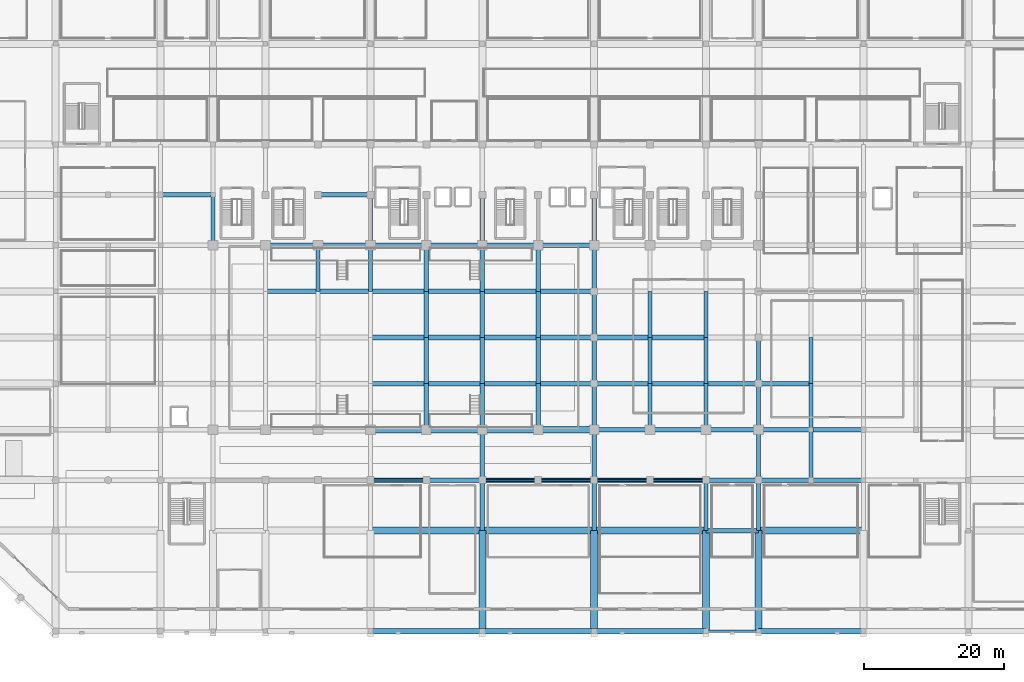
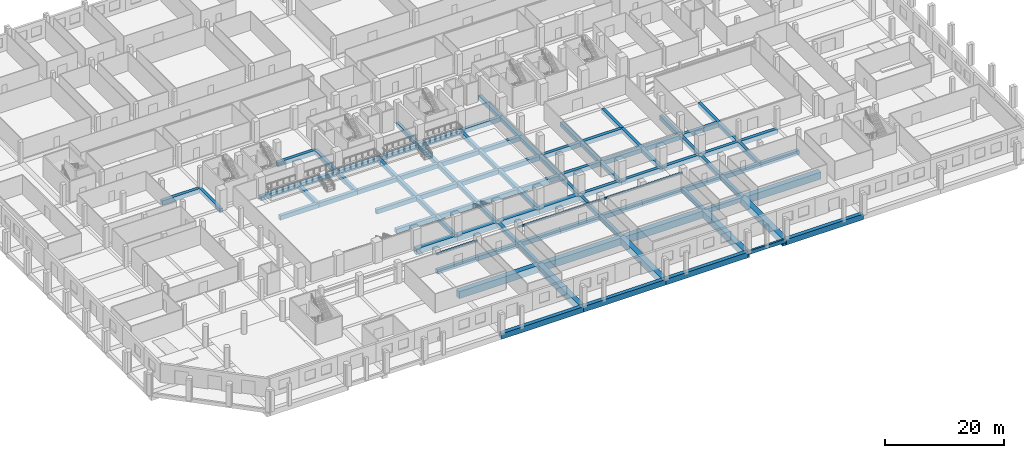
# One storey, part 6 of 33: 105 beams.
"""IFC4 building model written with IfcOpenShell, lengths in metres."""

from ifc_helpers import new_model, si_unit, direction, frame, origin, origin_2d, place, context, subcontext, project, spatial, rectangle, extrude, material, material_profile, profile_set, type_object, element, save


model = new_model("IFC4")

# Units and contexts
model_context = context("Model", 3, precision=1e-05, world=origin(), true_north=direction((0.0, 1.0)))
body_context = subcontext(model_context, "Body", "Model", "MODEL_VIEW")
ifc_project = project(units=[si_unit("LENGTHUNIT", "METRE"), si_unit("AREAUNIT", "SQUARE_METRE"), si_unit("VOLUMEUNIT", "CUBIC_METRE"), si_unit("PLANEANGLEUNIT", "RADIAN"), si_unit("MASSUNIT", "GRAM", prefix="KILO")], contexts=[model_context])

# Site, building, storey
site_placement = place(None, origin())
site = spatial("IfcSite", under=ifc_project, at=site_placement, CompositionType="ELEMENT")
building_placement = place(site_placement, origin())
building = spatial("IfcBuilding", under=site, at=building_placement, Name="Akrevak Sports Hall", CompositionType="ELEMENT")
storey_placement = place(building_placement, origin())
storey = spatial("IfcBuildingStorey", under=building, at=storey_placement, Name="L00", CompositionType="ELEMENT", Elevation=0.0)

# Beams
ifc_material_1 = material(Name="Concrete C50/60", Category="concrete")
ifc_material_profile_1 = material_profile(ifc_material_1, rectangle(XDim=1.0, YDim=1.449951171875, at=origin_2d()), Name="BM 1000x1450", Category="concrete")
ifc_profile_set_1 = profile_set([ifc_material_profile_1], Name="Concrete C50/60")
beam_type_1 = type_object("IfcBeamType", Name="STR-BM-LG1000x1450", PredefinedType="BEAM", material=ifc_profile_set_1)
for number, where, z_axis, x_axis, name in (
    (1, (60.0, 14.39990234375, -0.72509765625), (1.0, 0.0, 0.0), (0.0, 1.0, 0.0), "Girder C/9-11 (L00)"),
    (2, (76.0, 14.39990234375, -0.72509765625), (1.0, 0.0, 0.0), (0.0, 1.0, 0.0), "Girder C/11-13 (L00)"),
    (3, (92.0, 14.39990234375, -0.72509765625), (1.0, 0.0, 0.0), (0.0, 1.0, 0.0), "Girder C/13-15 (L00)"),
):
    element("IfcBeam", number, at=place(storey_placement, frame(where, z_axis=z_axis, x_axis=x_axis)), inside=storey, type_object=beam_type_1, Name=name, PredefinedType="BEAM", context=body_context, shape_type="SweptSolid", body=[
        extrude(rectangle(XDim=1.0, YDim=1.449951171875, at=origin_2d()), origin(), (0.0, 0.0, 1.0), 16.0),
    ])
beam_1_placement = place(storey_placement, frame((115.5, 14.39990234375, -0.72509765625), z_axis=(1.0, 0.0, 0.0), x_axis=(0.0, 1.0, 0.0)))
element("IfcBeam", 4, at=beam_1_placement, inside=storey, type_object=beam_type_1, Name="Girder C/16-18 (L00)", PredefinedType="BEAM", context=body_context, shape_type="SweptSolid", body=[
    extrude(rectangle(XDim=1.0, YDim=1.449951171875, at=origin_2d()), origin(), (0.0, 0.0, 1.0), 15.0),
])
for number, where, z_axis, x_axis, name in (
    (5, (76.0, 0.0, -0.72509765625), (0.0, 1.0, 0.0), (-1.0, 0.0, 0.0), "Girder 11/A-C (L00)"),
    (6, (92.0, 0.0, -0.72509765625), (0.0, 1.0, 0.0), (-1.0, 0.0, 0.0), "Girder 13/A-C (L00)"),
    (7, (108.0, 0.0, -0.72509765625), (0.0, 1.0, 0.0), (-1.0, 0.0, 0.0), "Girder 15/A-C (L00)"),
    (8, (115.5, 0.0, -0.72509765625), (0.0, 1.0, 0.0), (-1.0, 0.0, 0.0), "Girder 16/A-C (L00)"),
):
    element("IfcBeam", number, at=place(storey_placement, frame(where, z_axis=z_axis, x_axis=x_axis)), inside=storey, type_object=beam_type_1, Name=name, PredefinedType="BEAM", context=body_context, shape_type="SweptSolid", body=[
        extrude(rectangle(XDim=1.0, YDim=1.449951171875, at=origin_2d()), origin(), (0.0, 0.0, 1.0), 14.39990234375),
    ])
ifc_material_2 = material(Name="Concrete C40/50", Category="concrete")
ifc_material_profile_2 = material_profile(ifc_material_2, rectangle(XDim=0.60009765625, YDim=0.85009765625, at=origin_2d()), Name="BM 600x850", Category="concrete")
ifc_profile_set_2 = profile_set([ifc_material_profile_2], Name="Concrete C40/50")
beam_type_2 = type_object("IfcBeamType", Name="STR-BM-RC600x850", PredefinedType="BEAM", material=ifc_profile_set_2)
beam_2_placement = place(storey_placement, frame((37.5, 55.199951171875, -0.425048828125), z_axis=(0.0, 1.0, 0.0), x_axis=(-1.0, 0.0, 0.0)))
element("IfcBeam", 9, at=beam_2_placement, inside=storey, type_object=beam_type_2, Name="Girder 6/I-J (L00)", PredefinedType="BEAM", context=body_context, shape_type="SweptSolid", body=[
    extrude(rectangle(XDim=0.60009765625, YDim=0.85009765625, at=origin_2d()), origin(), (0.0, 0.0, 1.0), 7.199951171875),
])
for number, where, z_axis, x_axis, name in (
    (10, (52.5, 48.60009765625, -0.425048828125), (0.0, 1.0, 0.0), (-1.0, 0.0, 0.0), "Girder 8/H-I (L00)"),
    (11, (60.0, 48.60009765625, -0.425048828125), (0.0, 1.0, 0.0), (-1.0, 0.0, 0.0), "Girder 9/H-I (L00)"),
):
    element("IfcBeam", number, at=place(storey_placement, frame(where, z_axis=z_axis, x_axis=x_axis)), inside=storey, type_object=beam_type_2, Name=name, PredefinedType="BEAM", context=body_context, shape_type="SweptSolid", body=[
        extrude(rectangle(XDim=0.60009765625, YDim=0.85009765625, at=origin_2d()), origin(), (0.0, 0.0, 1.0), 6.599853515625),
    ])
beam_3_placement = place(storey_placement, frame((60.0, 55.199951171875, -0.425048828125), z_axis=(0.0, 1.0, 0.0), x_axis=(-1.0, 0.0, 0.0)))
element("IfcBeam", 12, at=beam_3_placement, inside=storey, type_object=beam_type_2, Name="Girder 9/I-J (L00)", PredefinedType="BEAM", context=body_context, shape_type="SweptSolid", body=[
    extrude(rectangle(XDim=0.60009765625, YDim=0.85009765625, at=origin_2d()), origin(), (0.0, 0.0, 1.0), 7.199951171875),
])
beam_4_placement = place(storey_placement, frame((68.0, 28.800048828125, -0.425048828125), z_axis=(0.0, 1.0, 0.0), x_axis=(-1.0, 0.0, 0.0)))
element("IfcBeam", 13, at=beam_4_placement, inside=storey, type_object=beam_type_2, Name="Girder 10/E-F (L00)", PredefinedType="BEAM", context=body_context, shape_type="SweptSolid", body=[
    extrude(rectangle(XDim=0.60009765625, YDim=0.85009765625, at=origin_2d()), origin(), (0.0, 0.0, 1.0), 6.599853515625),
])
for number, where, z_axis, x_axis, name in (
    (14, (68.0, 35.39990234375, -0.425048828125), (0.0, 1.0, 0.0), (-1.0, 0.0, 0.0), "Girder 10/F-G (L00)"),
    (15, (68.0, 42.0, -0.425048828125), (0.0, 1.0, 0.0), (-1.0, 0.0, 0.0), "Girder 10/G-H (L00)"),
):
    element("IfcBeam", number, at=place(storey_placement, frame(where, z_axis=z_axis, x_axis=x_axis)), inside=storey, type_object=beam_type_2, Name=name, PredefinedType="BEAM", context=body_context, shape_type="SweptSolid", body=[
        extrude(rectangle(XDim=0.60009765625, YDim=0.85009765625, at=origin_2d()), origin(), (0.0, 0.0, 1.0), 6.60009765625),
    ])
beam_5_placement = place(storey_placement, frame((68.0, 48.60009765625, -0.425048828125), z_axis=(0.0, 1.0, 0.0), x_axis=(-1.0, 0.0, 0.0)))
element("IfcBeam", 16, at=beam_5_placement, inside=storey, type_object=beam_type_2, Name="Girder 10/H-I (L00)", PredefinedType="BEAM", context=body_context, shape_type="SweptSolid", body=[
    extrude(rectangle(XDim=0.60009765625, YDim=0.85009765625, at=origin_2d()), origin(), (0.0, 0.0, 1.0), 6.599853515625),
])
beam_6_placement = place(storey_placement, frame((76.0, 14.39990234375, -0.425048828125), z_axis=(0.0, 1.0, 0.0), x_axis=(-1.0, 0.0, 0.0)))
element("IfcBeam", 17, at=beam_6_placement, inside=storey, type_object=beam_type_2, Name="Girder 11/C-D (L00)", PredefinedType="BEAM", context=body_context, shape_type="SweptSolid", body=[
    extrude(rectangle(XDim=0.60009765625, YDim=0.85009765625, at=origin_2d()), origin(), (0.0, 0.0, 1.0), 7.2001953125),
])
beam_7_placement = place(storey_placement, frame((76.0, 21.60009765625, -0.425048828125), z_axis=(0.0, 1.0, 0.0), x_axis=(-1.0, 0.0, 0.0)))
element("IfcBeam", 18, at=beam_7_placement, inside=storey, type_object=beam_type_2, Name="Girder 11/D-E (L00)", PredefinedType="BEAM", context=body_context, shape_type="SweptSolid", body=[
    extrude(rectangle(XDim=0.60009765625, YDim=0.85009765625, at=origin_2d()), origin(), (0.0, 0.0, 1.0), 7.199951171875),
])
beam_8_placement = place(storey_placement, frame((76.0, 28.800048828125, -0.425048828125), z_axis=(0.0, 1.0, 0.0), x_axis=(-1.0, 0.0, 0.0)))
element("IfcBeam", 19, at=beam_8_placement, inside=storey, type_object=beam_type_2, Name="Girder 11/E-F (L00)", PredefinedType="BEAM", context=body_context, shape_type="SweptSolid", body=[
    extrude(rectangle(XDim=0.60009765625, YDim=0.85009765625, at=origin_2d()), origin(), (0.0, 0.0, 1.0), 6.599853515625),
])
for number, where, z_axis, x_axis, name in (
    (20, (76.0, 35.39990234375, -0.425048828125), (0.0, 1.0, 0.0), (-1.0, 0.0, 0.0), "Girder 11/F-G (L00)"),
    (21, (76.0, 42.0, -0.425048828125), (0.0, 1.0, 0.0), (-1.0, 0.0, 0.0), "Girder 11/G-H (L00)"),
):
    element("IfcBeam", number, at=place(storey_placement, frame(where, z_axis=z_axis, x_axis=x_axis)), inside=storey, type_object=beam_type_2, Name=name, PredefinedType="BEAM", context=body_context, shape_type="SweptSolid", body=[
        extrude(rectangle(XDim=0.60009765625, YDim=0.85009765625, at=origin_2d()), origin(), (0.0, 0.0, 1.0), 6.60009765625),
    ])
beam_9_placement = place(storey_placement, frame((76.0, 48.60009765625, -0.425048828125), z_axis=(0.0, 1.0, 0.0), x_axis=(-1.0, 0.0, 0.0)))
element("IfcBeam", 22, at=beam_9_placement, inside=storey, type_object=beam_type_2, Name="Girder 11/H-I (L00)", PredefinedType="BEAM", context=body_context, shape_type="SweptSolid", body=[
    extrude(rectangle(XDim=0.60009765625, YDim=0.85009765625, at=origin_2d()), origin(), (0.0, 0.0, 1.0), 6.599853515625),
])
beam_10_placement = place(storey_placement, frame((76.0, 55.199951171875, -0.425048828125), z_axis=(0.0, 1.0, 0.0), x_axis=(-1.0, 0.0, 0.0)))
element("IfcBeam", 23, at=beam_10_placement, inside=storey, type_object=beam_type_2, Name="Girder 11/I-J (L00)", PredefinedType="BEAM", context=body_context, shape_type="SweptSolid", body=[
    extrude(rectangle(XDim=0.60009765625, YDim=0.85009765625, at=origin_2d()), origin(), (0.0, 0.0, 1.0), 7.199951171875),
])
beam_11_placement = place(storey_placement, frame((84.0, 28.800048828125, -0.425048828125), z_axis=(0.0, 1.0, 0.0), x_axis=(-1.0, 0.0, 0.0)))
element("IfcBeam", 24, at=beam_11_placement, inside=storey, type_object=beam_type_2, Name="Girder 12/E-F (L00)", PredefinedType="BEAM", context=body_context, shape_type="SweptSolid", body=[
    extrude(rectangle(XDim=0.60009765625, YDim=0.85009765625, at=origin_2d()), origin(), (0.0, 0.0, 1.0), 6.599853515625),
])
for number, where, z_axis, x_axis, name in (
    (25, (84.0, 35.39990234375, -0.425048828125), (0.0, 1.0, 0.0), (-1.0, 0.0, 0.0), "Girder 12/F-G (L00)"),
    (26, (84.0, 42.0, -0.425048828125), (0.0, 1.0, 0.0), (-1.0, 0.0, 0.0), "Girder 12/G-H (L00)"),
):
    element("IfcBeam", number, at=place(storey_placement, frame(where, z_axis=z_axis, x_axis=x_axis)), inside=storey, type_object=beam_type_2, Name=name, PredefinedType="BEAM", context=body_context, shape_type="SweptSolid", body=[
        extrude(rectangle(XDim=0.60009765625, YDim=0.85009765625, at=origin_2d()), origin(), (0.0, 0.0, 1.0), 6.60009765625),
    ])
beam_12_placement = place(storey_placement, frame((84.0, 48.60009765625, -0.425048828125), z_axis=(0.0, 1.0, 0.0), x_axis=(-1.0, 0.0, 0.0)))
element("IfcBeam", 27, at=beam_12_placement, inside=storey, type_object=beam_type_2, Name="Girder 12/H-I (L00)", PredefinedType="BEAM", context=body_context, shape_type="SweptSolid", body=[
    extrude(rectangle(XDim=0.60009765625, YDim=0.85009765625, at=origin_2d()), origin(), (0.0, 0.0, 1.0), 6.599853515625),
])
beam_13_placement = place(storey_placement, frame((92.0, 14.39990234375, -0.425048828125), z_axis=(0.0, 1.0, 0.0), x_axis=(-1.0, 0.0, 0.0)))
element("IfcBeam", 28, at=beam_13_placement, inside=storey, type_object=beam_type_2, Name="Girder 13/C-D (L00)", PredefinedType="BEAM", context=body_context, shape_type="SweptSolid", body=[
    extrude(rectangle(XDim=0.60009765625, YDim=0.85009765625, at=origin_2d()), origin(), (0.0, 0.0, 1.0), 7.2001953125),
])
beam_14_placement = place(storey_placement, frame((92.0, 21.60009765625, -0.425048828125), z_axis=(0.0, 1.0, 0.0), x_axis=(-1.0, 0.0, 0.0)))
element("IfcBeam", 29, at=beam_14_placement, inside=storey, type_object=beam_type_2, Name="Girder 13/D-E (L00)", PredefinedType="BEAM", context=body_context, shape_type="SweptSolid", body=[
    extrude(rectangle(XDim=0.60009765625, YDim=0.85009765625, at=origin_2d()), origin(), (0.0, 0.0, 1.0), 7.199951171875),
])
beam_15_placement = place(storey_placement, frame((92.0, 28.800048828125, -0.425048828125), z_axis=(0.0, 1.0, 0.0), x_axis=(-1.0, 0.0, 0.0)))
element("IfcBeam", 30, at=beam_15_placement, inside=storey, type_object=beam_type_2, Name="Girder 13/E-F (L00)", PredefinedType="BEAM", context=body_context, shape_type="SweptSolid", body=[
    extrude(rectangle(XDim=0.60009765625, YDim=0.85009765625, at=origin_2d()), origin(), (0.0, 0.0, 1.0), 6.599853515625),
])
for number, where, z_axis, x_axis, name in (
    (31, (92.0, 35.39990234375, -0.425048828125), (0.0, 1.0, 0.0), (-1.0, 0.0, 0.0), "Girder 13/F-G (L00)"),
    (32, (92.0, 42.0, -0.425048828125), (0.0, 1.0, 0.0), (-1.0, 0.0, 0.0), "Girder 13/G-H (L00)"),
):
    element("IfcBeam", number, at=place(storey_placement, frame(where, z_axis=z_axis, x_axis=x_axis)), inside=storey, type_object=beam_type_2, Name=name, PredefinedType="BEAM", context=body_context, shape_type="SweptSolid", body=[
        extrude(rectangle(XDim=0.60009765625, YDim=0.85009765625, at=origin_2d()), origin(), (0.0, 0.0, 1.0), 6.60009765625),
    ])
beam_16_placement = place(storey_placement, frame((92.0, 48.60009765625, -0.425048828125), z_axis=(0.0, 1.0, 0.0), x_axis=(-1.0, 0.0, 0.0)))
element("IfcBeam", 33, at=beam_16_placement, inside=storey, type_object=beam_type_2, Name="Girder 13/H-I (L00)", PredefinedType="BEAM", context=body_context, shape_type="SweptSolid", body=[
    extrude(rectangle(XDim=0.60009765625, YDim=0.85009765625, at=origin_2d()), origin(), (0.0, 0.0, 1.0), 6.599853515625),
])
beam_17_placement = place(storey_placement, frame((92.0, 55.199951171875, -0.425048828125), z_axis=(0.0, 1.0, 0.0), x_axis=(-1.0, 0.0, 0.0)))
element("IfcBeam", 34, at=beam_17_placement, inside=storey, type_object=beam_type_2, Name="Girder 13/I-J (L00)", PredefinedType="BEAM", context=body_context, shape_type="SweptSolid", body=[
    extrude(rectangle(XDim=0.60009765625, YDim=0.85009765625, at=origin_2d()), origin(), (0.0, 0.0, 1.0), 7.199951171875),
])
beam_18_placement = place(storey_placement, frame((100.0, 28.800048828125, -0.425048828125), z_axis=(0.0, 1.0, 0.0), x_axis=(-1.0, 0.0, 0.0)))
element("IfcBeam", 35, at=beam_18_placement, inside=storey, type_object=beam_type_2, Name="Girder 14/E-F (L00)", PredefinedType="BEAM", context=body_context, shape_type="SweptSolid", body=[
    extrude(rectangle(XDim=0.60009765625, YDim=0.85009765625, at=origin_2d()), origin(), (0.0, 0.0, 1.0), 6.599853515625),
])
for number, where, z_axis, x_axis, name in (
    (36, (100.0, 35.39990234375, -0.425048828125), (0.0, 1.0, 0.0), (-1.0, 0.0, 0.0), "Girder 14/F-G (L00)"),
    (37, (100.0, 42.0, -0.425048828125), (0.0, 1.0, 0.0), (-1.0, 0.0, 0.0), "Girder 14/G-H (L00)"),
):
    element("IfcBeam", number, at=place(storey_placement, frame(where, z_axis=z_axis, x_axis=x_axis)), inside=storey, type_object=beam_type_2, Name=name, PredefinedType="BEAM", context=body_context, shape_type="SweptSolid", body=[
        extrude(rectangle(XDim=0.60009765625, YDim=0.85009765625, at=origin_2d()), origin(), (0.0, 0.0, 1.0), 6.60009765625),
    ])
beam_19_placement = place(storey_placement, frame((108.0, 14.39990234375, -0.425048828125), z_axis=(0.0, 1.0, 0.0), x_axis=(-1.0, 0.0, 0.0)))
element("IfcBeam", 38, at=beam_19_placement, inside=storey, type_object=beam_type_2, Name="Girder 15/C-D (L00)", PredefinedType="BEAM", context=body_context, shape_type="SweptSolid", body=[
    extrude(rectangle(XDim=0.60009765625, YDim=0.85009765625, at=origin_2d()), origin(), (0.0, 0.0, 1.0), 7.2001953125),
])
beam_20_placement = place(storey_placement, frame((108.0, 28.800048828125, -0.425048828125), z_axis=(0.0, 1.0, 0.0), x_axis=(-1.0, 0.0, 0.0)))
element("IfcBeam", 39, at=beam_20_placement, inside=storey, type_object=beam_type_2, Name="Girder 15/E-F (L00)", PredefinedType="BEAM", context=body_context, shape_type="SweptSolid", body=[
    extrude(rectangle(XDim=0.60009765625, YDim=0.85009765625, at=origin_2d()), origin(), (0.0, 0.0, 1.0), 6.599853515625),
])
for number, where, z_axis, x_axis, name in (
    (40, (108.0, 35.39990234375, -0.425048828125), (0.0, 1.0, 0.0), (-1.0, 0.0, 0.0), "Girder 15/F-G (L00)"),
    (41, (108.0, 42.0, -0.425048828125), (0.0, 1.0, 0.0), (-1.0, 0.0, 0.0), "Girder 15/G-H (L00)"),
):
    element("IfcBeam", number, at=place(storey_placement, frame(where, z_axis=z_axis, x_axis=x_axis)), inside=storey, type_object=beam_type_2, Name=name, PredefinedType="BEAM", context=body_context, shape_type="SweptSolid", body=[
        extrude(rectangle(XDim=0.60009765625, YDim=0.85009765625, at=origin_2d()), origin(), (0.0, 0.0, 1.0), 6.60009765625),
    ])
beam_21_placement = place(storey_placement, frame((115.5, 14.39990234375, -0.425048828125), z_axis=(0.0, 1.0, 0.0), x_axis=(-1.0, 0.0, 0.0)))
element("IfcBeam", 42, at=beam_21_placement, inside=storey, type_object=beam_type_2, Name="Girder 16/C-D (L00)", PredefinedType="BEAM", context=body_context, shape_type="SweptSolid", body=[
    extrude(rectangle(XDim=0.60009765625, YDim=0.85009765625, at=origin_2d()), origin(), (0.0, 0.0, 1.0), 7.2001953125),
])
beam_22_placement = place(storey_placement, frame((115.5, 21.60009765625, -0.425048828125), z_axis=(0.0, 1.0, 0.0), x_axis=(-1.0, 0.0, 0.0)))
element("IfcBeam", 43, at=beam_22_placement, inside=storey, type_object=beam_type_2, Name="Girder 16/D-E (L00)", PredefinedType="BEAM", context=body_context, shape_type="SweptSolid", body=[
    extrude(rectangle(XDim=0.60009765625, YDim=0.85009765625, at=origin_2d()), origin(), (0.0, 0.0, 1.0), 7.199951171875),
])
beam_23_placement = place(storey_placement, frame((115.5, 28.800048828125, -0.425048828125), z_axis=(0.0, 1.0, 0.0), x_axis=(-1.0, 0.0, 0.0)))
element("IfcBeam", 44, at=beam_23_placement, inside=storey, type_object=beam_type_2, Name="Girder 16/E-F (L00)", PredefinedType="BEAM", context=body_context, shape_type="SweptSolid", body=[
    extrude(rectangle(XDim=0.60009765625, YDim=0.85009765625, at=origin_2d()), origin(), (0.0, 0.0, 1.0), 6.599853515625),
])
beam_24_placement = place(storey_placement, frame((115.5, 35.39990234375, -0.425048828125), z_axis=(0.0, 1.0, 0.0), x_axis=(-1.0, 0.0, 0.0)))
element("IfcBeam", 45, at=beam_24_placement, inside=storey, type_object=beam_type_2, Name="Girder 16/F-G (L00)", PredefinedType="BEAM", context=body_context, shape_type="SweptSolid", body=[
    extrude(rectangle(XDim=0.60009765625, YDim=0.85009765625, at=origin_2d()), origin(), (0.0, 0.0, 1.0), 6.60009765625),
])
beam_25_placement = place(storey_placement, frame((123.0, 21.60009765625, -0.425048828125), z_axis=(0.0, 1.0, 0.0), x_axis=(-1.0, 0.0, 0.0)))
element("IfcBeam", 46, at=beam_25_placement, inside=storey, type_object=beam_type_2, Name="Girder 17/D-E (L00)", PredefinedType="BEAM", context=body_context, shape_type="SweptSolid", body=[
    extrude(rectangle(XDim=0.60009765625, YDim=0.85009765625, at=origin_2d()), origin(), (0.0, 0.0, 1.0), 7.199951171875),
])
beam_26_placement = place(storey_placement, frame((123.0, 28.800048828125, -0.425048828125), z_axis=(0.0, 1.0, 0.0), x_axis=(-1.0, 0.0, 0.0)))
element("IfcBeam", 47, at=beam_26_placement, inside=storey, type_object=beam_type_2, Name="Girder 17/E-F (L00)", PredefinedType="BEAM", context=body_context, shape_type="SweptSolid", body=[
    extrude(rectangle(XDim=0.60009765625, YDim=0.85009765625, at=origin_2d()), origin(), (0.0, 0.0, 1.0), 6.599853515625),
])
beam_27_placement = place(storey_placement, frame((123.0, 35.39990234375, -0.425048828125), z_axis=(0.0, 1.0, 0.0), x_axis=(-1.0, 0.0, 0.0)))
element("IfcBeam", 48, at=beam_27_placement, inside=storey, type_object=beam_type_2, Name="Girder 17/F-G (L00)", PredefinedType="BEAM", context=body_context, shape_type="SweptSolid", body=[
    extrude(rectangle(XDim=0.60009765625, YDim=0.85009765625, at=origin_2d()), origin(), (0.0, 0.0, 1.0), 6.60009765625),
])
ifc_material_profile_3 = material_profile(ifc_material_2, rectangle(XDim=0.64990234375, YDim=0.89990234375, at=origin_2d()), Name="BM 650x900", Category="concrete")
ifc_profile_set_3 = profile_set([ifc_material_profile_3], Name="Concrete C40/50")
beam_type_3 = type_object("IfcBeamType", Name="STR-BM-RC650x900", PredefinedType="BEAM", material=ifc_profile_set_3)
beam_28_placement = place(storey_placement, frame((108.0, 14.39990234375, -0.449951171875), z_axis=(1.0, 0.0, 0.0), x_axis=(0.0, 1.0, 0.0)))
element("IfcBeam", 49, at=beam_28_placement, inside=storey, type_object=beam_type_3, Name="Girder C/15-16 (L00)", PredefinedType="BEAM", context=body_context, shape_type="SweptSolid", body=[
    extrude(rectangle(XDim=0.64990234375, YDim=0.89990234375, at=origin_2d()), origin(), (0.0, 0.0, 1.0), 7.5),
])
for number, where, z_axis, x_axis, name in (
    (50, (60.0, 21.60009765625, -0.449951171875), (1.0, 0.0, 0.0), (0.0, 1.0, 0.0), "Girder D/9-10 (L00)"),
    (51, (68.0, 21.60009765625, -0.449951171875), (1.0, 0.0, 0.0), (0.0, 1.0, 0.0), "Girder D/10-11 (L00)"),
    (52, (76.0, 21.60009765625, -0.449951171875), (1.0, 0.0, 0.0), (0.0, 1.0, 0.0), "Girder D/11-12 (L00)"),
    (53, (84.0, 21.60009765625, -0.449951171875), (1.0, 0.0, 0.0), (0.0, 1.0, 0.0), "Girder D/12-13 (L00)"),
    (54, (92.0, 21.60009765625, -0.449951171875), (1.0, 0.0, 0.0), (0.0, 1.0, 0.0), "Girder D/13-14 (L00)"),
    (55, (100.0, 21.60009765625, -0.449951171875), (1.0, 0.0, 0.0), (0.0, 1.0, 0.0), "Girder D/14-15 (L00)"),
):
    element("IfcBeam", number, at=place(storey_placement, frame(where, z_axis=z_axis, x_axis=x_axis)), inside=storey, type_object=beam_type_3, Name=name, PredefinedType="BEAM", context=body_context, shape_type="SweptSolid", body=[
        extrude(rectangle(XDim=0.64990234375, YDim=0.89990234375, at=origin_2d()), origin(), (0.0, 0.0, 1.0), 8.0),
    ])
for number, where, z_axis, x_axis, name in (
    (56, (108.0, 21.60009765625, -0.449951171875), (1.0, 0.0, 0.0), (0.0, 1.0, 0.0), "Girder D/15-16 (L00)"),
    (57, (115.5, 21.60009765625, -0.449951171875), (1.0, 0.0, 0.0), (0.0, 1.0, 0.0), "Girder D/16-17 (L00)"),
    (58, (123.0, 21.60009765625, -0.449951171875), (1.0, 0.0, 0.0), (0.0, 1.0, 0.0), "Girder D/17-18 (L00)"),
):
    element("IfcBeam", number, at=place(storey_placement, frame(where, z_axis=z_axis, x_axis=x_axis)), inside=storey, type_object=beam_type_3, Name=name, PredefinedType="BEAM", context=body_context, shape_type="SweptSolid", body=[
        extrude(rectangle(XDim=0.64990234375, YDim=0.89990234375, at=origin_2d()), origin(), (0.0, 0.0, 1.0), 7.5),
    ])
for number, where, z_axis, x_axis, name in (
    (59, (92.0, 28.800048828125, -0.449951171875), (1.0, 0.0, 0.0), (0.0, 1.0, 0.0), "Girder E/13-14 (L00)"),
    (60, (100.0, 28.800048828125, -0.449951171875), (1.0, 0.0, 0.0), (0.0, 1.0, 0.0), "Girder E/14-15 (L00)"),
):
    element("IfcBeam", number, at=place(storey_placement, frame(where, z_axis=z_axis, x_axis=x_axis)), inside=storey, type_object=beam_type_3, Name=name, PredefinedType="BEAM", context=body_context, shape_type="SweptSolid", body=[
        extrude(rectangle(XDim=0.64990234375, YDim=0.89990234375, at=origin_2d()), origin(), (0.0, 0.0, 1.0), 8.0),
    ])
for number, where, z_axis, x_axis, name in (
    (61, (108.0, 28.800048828125, -0.449951171875), (1.0, 0.0, 0.0), (0.0, 1.0, 0.0), "Girder E/15-16 (L00)"),
    (62, (115.5, 28.800048828125, -0.449951171875), (1.0, 0.0, 0.0), (0.0, 1.0, 0.0), "Girder E/16-17 (L00)"),
    (63, (123.0, 28.800048828125, -0.449951171875), (1.0, 0.0, 0.0), (0.0, 1.0, 0.0), "Girder E/17-18 (L00)"),
):
    element("IfcBeam", number, at=place(storey_placement, frame(where, z_axis=z_axis, x_axis=x_axis)), inside=storey, type_object=beam_type_3, Name=name, PredefinedType="BEAM", context=body_context, shape_type="SweptSolid", body=[
        extrude(rectangle(XDim=0.64990234375, YDim=0.89990234375, at=origin_2d()), origin(), (0.0, 0.0, 1.0), 7.5),
    ])
for number, where, z_axis, x_axis, name in (
    (64, (60.0, 35.39990234375, -0.449951171875), (1.0, 0.0, 0.0), (0.0, 1.0, 0.0), "Girder F/9-10 (L00)"),
    (65, (68.0, 35.39990234375, -0.449951171875), (1.0, 0.0, 0.0), (0.0, 1.0, 0.0), "Girder F/10-11 (L00)"),
    (66, (76.0, 35.39990234375, -0.449951171875), (1.0, 0.0, 0.0), (0.0, 1.0, 0.0), "Girder F/11-12 (L00)"),
    (67, (84.0, 35.39990234375, -0.449951171875), (1.0, 0.0, 0.0), (0.0, 1.0, 0.0), "Girder F/12-13 (L00)"),
    (68, (92.0, 35.39990234375, -0.449951171875), (1.0, 0.0, 0.0), (0.0, 1.0, 0.0), "Girder F/13-14 (L00)"),
    (69, (100.0, 35.39990234375, -0.449951171875), (1.0, 0.0, 0.0), (0.0, 1.0, 0.0), "Girder F/14-15 (L00)"),
):
    element("IfcBeam", number, at=place(storey_placement, frame(where, z_axis=z_axis, x_axis=x_axis)), inside=storey, type_object=beam_type_3, Name=name, PredefinedType="BEAM", context=body_context, shape_type="SweptSolid", body=[
        extrude(rectangle(XDim=0.64990234375, YDim=0.89990234375, at=origin_2d()), origin(), (0.0, 0.0, 1.0), 8.0),
    ])
for number, where, z_axis, x_axis, name in (
    (70, (108.0, 35.39990234375, -0.449951171875), (1.0, 0.0, 0.0), (0.0, 1.0, 0.0), "Girder F/15-16 (L00)"),
    (71, (115.5, 35.39990234375, -0.449951171875), (1.0, 0.0, 0.0), (0.0, 1.0, 0.0), "Girder F/16-17 (L00)"),
):
    element("IfcBeam", number, at=place(storey_placement, frame(where, z_axis=z_axis, x_axis=x_axis)), inside=storey, type_object=beam_type_3, Name=name, PredefinedType="BEAM", context=body_context, shape_type="SweptSolid", body=[
        extrude(rectangle(XDim=0.64990234375, YDim=0.89990234375, at=origin_2d()), origin(), (0.0, 0.0, 1.0), 7.5),
    ])
for number, where, z_axis, x_axis, name in (
    (72, (60.0, 42.0, -0.449951171875), (1.0, 0.0, 0.0), (0.0, 1.0, 0.0), "Girder G/9-10 (L00)"),
    (73, (68.0, 42.0, -0.449951171875), (1.0, 0.0, 0.0), (0.0, 1.0, 0.0), "Girder G/10-11 (L00)"),
    (74, (76.0, 42.0, -0.449951171875), (1.0, 0.0, 0.0), (0.0, 1.0, 0.0), "Girder G/11-12 (L00)"),
    (75, (84.0, 42.0, -0.449951171875), (1.0, 0.0, 0.0), (0.0, 1.0, 0.0), "Girder G/12-13 (L00)"),
    (76, (92.0, 42.0, -0.449951171875), (1.0, 0.0, 0.0), (0.0, 1.0, 0.0), "Girder G/13-14 (L00)"),
    (77, (100.0, 42.0, -0.449951171875), (1.0, 0.0, 0.0), (0.0, 1.0, 0.0), "Girder G/14-15 (L00)"),
):
    element("IfcBeam", number, at=place(storey_placement, frame(where, z_axis=z_axis, x_axis=x_axis)), inside=storey, type_object=beam_type_3, Name=name, PredefinedType="BEAM", context=body_context, shape_type="SweptSolid", body=[
        extrude(rectangle(XDim=0.64990234375, YDim=0.89990234375, at=origin_2d()), origin(), (0.0, 0.0, 1.0), 8.0),
    ])
for number, where, z_axis, x_axis, name in (
    (78, (45.0, 48.60009765625, -0.449951171875), (1.0, 0.0, 0.0), (0.0, 1.0, 0.0), "Girder H/7-8 (L00)"),
    (79, (52.5, 48.60009765625, -0.449951171875), (1.0, 0.0, 0.0), (0.0, 1.0, 0.0), "Girder H/8-9 (L00)"),
):
    element("IfcBeam", number, at=place(storey_placement, frame(where, z_axis=z_axis, x_axis=x_axis)), inside=storey, type_object=beam_type_3, Name=name, PredefinedType="BEAM", context=body_context, shape_type="SweptSolid", body=[
        extrude(rectangle(XDim=0.64990234375, YDim=0.89990234375, at=origin_2d()), origin(), (0.0, 0.0, 1.0), 7.5),
    ])
for number, where, z_axis, x_axis, name in (
    (80, (60.0, 48.60009765625, -0.449951171875), (1.0, 0.0, 0.0), (0.0, 1.0, 0.0), "Girder H/9-10 (L00)"),
    (81, (68.0, 48.60009765625, -0.449951171875), (1.0, 0.0, 0.0), (0.0, 1.0, 0.0), "Girder H/10-11 (L00)"),
    (82, (76.0, 48.60009765625, -0.449951171875), (1.0, 0.0, 0.0), (0.0, 1.0, 0.0), "Girder H/11-12 (L00)"),
    (83, (84.0, 48.60009765625, -0.449951171875), (1.0, 0.0, 0.0), (0.0, 1.0, 0.0), "Girder H/12-13 (L00)"),
):
    element("IfcBeam", number, at=place(storey_placement, frame(where, z_axis=z_axis, x_axis=x_axis)), inside=storey, type_object=beam_type_3, Name=name, PredefinedType="BEAM", context=body_context, shape_type="SweptSolid", body=[
        extrude(rectangle(XDim=0.64990234375, YDim=0.89990234375, at=origin_2d()), origin(), (0.0, 0.0, 1.0), 8.0),
    ])
for number, where, z_axis, x_axis, name in (
    (84, (45.0, 55.199951171875, -0.449951171875), (1.0, 0.0, 0.0), (0.0, 1.0, 0.0), "Girder I/7-8 (L00)"),
    (85, (52.5, 55.199951171875, -0.449951171875), (1.0, 0.0, 0.0), (0.0, 1.0, 0.0), "Girder I/8-9 (L00)"),
):
    element("IfcBeam", number, at=place(storey_placement, frame(where, z_axis=z_axis, x_axis=x_axis)), inside=storey, type_object=beam_type_3, Name=name, PredefinedType="BEAM", context=body_context, shape_type="SweptSolid", body=[
        extrude(rectangle(XDim=0.64990234375, YDim=0.89990234375, at=origin_2d()), origin(), (0.0, 0.0, 1.0), 7.5),
    ])
for number, where, z_axis, x_axis, name in (
    (86, (60.0, 55.199951171875, -0.449951171875), (1.0, 0.0, 0.0), (0.0, 1.0, 0.0), "Girder I/9-10 (L00)"),
    (87, (68.0, 55.199951171875, -0.449951171875), (1.0, 0.0, 0.0), (0.0, 1.0, 0.0), "Girder I/10-11 (L00)"),
    (88, (76.0, 55.199951171875, -0.449951171875), (1.0, 0.0, 0.0), (0.0, 1.0, 0.0), "Girder I/11-12 (L00)"),
    (89, (84.0, 55.199951171875, -0.449951171875), (1.0, 0.0, 0.0), (0.0, 1.0, 0.0), "Girder I/12-13 (L00)"),
):
    element("IfcBeam", number, at=place(storey_placement, frame(where, z_axis=z_axis, x_axis=x_axis)), inside=storey, type_object=beam_type_3, Name=name, PredefinedType="BEAM", context=body_context, shape_type="SweptSolid", body=[
        extrude(rectangle(XDim=0.64990234375, YDim=0.89990234375, at=origin_2d()), origin(), (0.0, 0.0, 1.0), 8.0),
    ])
for number, where, z_axis, x_axis, name in (
    (90, (30.0, 62.39990234375, -0.449951171875), (1.0, 0.0, 0.0), (0.0, 1.0, 0.0), "Girder J/5-6 (L00)"),
    (91, (52.5, 62.39990234375, -0.449951171875), (1.0, 0.0, 0.0), (0.0, 1.0, 0.0), "Girder J/8-9 (L00)"),
):
    element("IfcBeam", number, at=place(storey_placement, frame(where, z_axis=z_axis, x_axis=x_axis)), inside=storey, type_object=beam_type_3, Name=name, PredefinedType="BEAM", context=body_context, shape_type="SweptSolid", body=[
        extrude(rectangle(XDim=0.64990234375, YDim=0.89990234375, at=origin_2d()), origin(), (0.0, 0.0, 1.0), 7.5),
    ])
ifc_material_profile_4 = material_profile(ifc_material_1, rectangle(XDim=0.89990234375, YDim=1.199951171875, at=origin_2d()), Name="BM 900x1200", Category="concrete")
ifc_profile_set_4 = profile_set([ifc_material_profile_4], Name="Concrete C50/60")
beam_type_4 = type_object("IfcBeamType", Name="STR-BM-RC900x1200", PredefinedType="BEAM", material=ifc_profile_set_4)
for number, where, z_axis, x_axis, name in (
    (92, (60.0, 28.800048828125, -0.60009765625), (1.0, 0.0, 0.0), (0.0, 1.0, 0.0), "Girder E/9-10 (L00)"),
    (93, (68.0, 28.800048828125, -0.60009765625), (1.0, 0.0, 0.0), (0.0, 1.0, 0.0), "Girder E/10-11 (L00)"),
    (94, (76.0, 28.800048828125, -0.60009765625), (1.0, 0.0, 0.0), (0.0, 1.0, 0.0), "Girder E/11-12 (L00)"),
    (95, (84.0, 28.800048828125, -0.60009765625), (1.0, 0.0, 0.0), (0.0, 1.0, 0.0), "Girder E/12-13 (L00)"),
):
    element("IfcBeam", number, at=place(storey_placement, frame(where, z_axis=z_axis, x_axis=x_axis)), inside=storey, type_object=beam_type_4, Name=name, PredefinedType="BEAM", context=body_context, shape_type="SweptSolid", body=[
        extrude(rectangle(XDim=0.89990234375, YDim=1.199951171875, at=origin_2d()), origin(), (0.0, 0.0, 1.0), 8.0),
    ])
ifc_material_profile_5 = material_profile(ifc_material_2, rectangle(XDim=0.25, YDim=0.35009765625, at=origin_2d()), Name="LNT 250x350", Category="concrete")
ifc_profile_set_5 = profile_set([ifc_material_profile_5], Name="Concrete C40/50")
beam_type_5 = type_object("IfcBeamType", Name="STR-LNT-RC250x350", PredefinedType="LINTEL", material=ifc_profile_set_5)
for number, where, z_axis, x_axis, name in (
    (96, (76.0, 21.60009765625, 3.10009765625), (1.0, 0.0, 0.0), (0.0, 1.0, 0.0), "Reinforced Concrete Portal Lintel LN-05"),
    (97, (84.0, 21.60009765625, 3.10009765625), (1.0, 0.0, 0.0), (0.0, 1.0, 0.0), "Reinforced Concrete Portal Lintel LN-06"),
    (98, (92.0, 21.60009765625, 3.10009765625), (1.0, 0.0, 0.0), (0.0, 1.0, 0.0), "Reinforced Concrete Portal Lintel LN-07"),
    (99, (100.0, 21.60009765625, 3.10009765625), (1.0, 0.0, 0.0), (0.0, 1.0, 0.0), "Reinforced Concrete Portal Lintel LN-08"),
):
    element("IfcBeam", number, at=place(storey_placement, frame(where, z_axis=z_axis, x_axis=x_axis)), inside=storey, type_object=beam_type_5, Name=name, PredefinedType="LINTEL", context=body_context, shape_type="SweptSolid", body=[
        extrude(rectangle(XDim=0.25, YDim=0.35009765625, at=origin_2d()), origin(), (0.0, 0.0, 1.0), 8.0),
    ])
ifc_material_profile_6 = material_profile(ifc_material_2, rectangle(XDim=0.300048828125, YDim=0.3798828125, at=origin_2d()), Name="LNT 300x380", Category="concrete")
ifc_profile_set_6 = profile_set([ifc_material_profile_6], Name="Concrete C40/50")
beam_type_6 = type_object("IfcBeamType", Name="STR-LNT-RC300x380", PredefinedType="LINTEL", material=ifc_profile_set_6)
beam_29_placement = place(storey_placement, frame((60.0, 21.60009765625, 3.10009765625), z_axis=(1.0, 0.0, 0.0), x_axis=(0.0, 1.0, 0.0)))
element("IfcBeam", 100, at=beam_29_placement, inside=storey, type_object=beam_type_6, Name="Reinforced Concrete Portal Lintel LN-04", PredefinedType="LINTEL", context=body_context, shape_type="SweptSolid", body=[
    extrude(rectangle(XDim=0.300048828125, YDim=0.3798828125, at=origin_2d()), origin(), (0.0, 0.0, 1.0), 8.0),
])
ifc_material_profile_7 = material_profile(ifc_material_1, rectangle(XDim=0.75, YDim=1.14990234375, at=origin_2d()), Name="SPD 750x1150", Category="concrete")
ifc_profile_set_7 = profile_set([ifc_material_profile_7], Name="Concrete C50/60")
beam_type_7 = type_object("IfcBeamType", Name="STR-SPD-LSP750x1150", PredefinedType="SPANDREL", material=ifc_profile_set_7)
for number, where, z_axis, x_axis, name in (
    (101, (60.0, 0.0, -0.574951171875), (1.0, 0.0, 0.0), (0.0, 1.0, 0.0), "Girder A/9-11 (L00)"),
    (102, (76.0, 0.0, -0.574951171875), (1.0, 0.0, 0.0), (0.0, 1.0, 0.0), "Girder A/11-13 (L00)"),
    (103, (92.0, 0.0, -0.574951171875), (1.0, 0.0, 0.0), (0.0, 1.0, 0.0), "Girder A/13-15 (L00)"),
):
    element("IfcBeam", number, at=place(storey_placement, frame(where, z_axis=z_axis, x_axis=x_axis)), inside=storey, type_object=beam_type_7, Name=name, PredefinedType="SPANDREL", context=body_context, shape_type="SweptSolid", body=[
        extrude(rectangle(XDim=0.75, YDim=1.14990234375, at=origin_2d()), origin(), (0.0, 0.0, 1.0), 16.0),
    ])
beam_30_placement = place(storey_placement, frame((115.5, 0.0, -0.574951171875), z_axis=(1.0, 0.0, 0.0), x_axis=(0.0, 1.0, 0.0)))
element("IfcBeam", 104, at=beam_30_placement, inside=storey, type_object=beam_type_7, Name="Girder A/16-18 (L00)", PredefinedType="SPANDREL", context=body_context, shape_type="SweptSolid", body=[
    extrude(rectangle(XDim=0.75, YDim=1.14990234375, at=origin_2d()), origin(), (0.0, 0.0, 1.0), 15.0),
])
ifc_material_profile_8 = material_profile(ifc_material_2, rectangle(XDim=0.35009765625, YDim=0.75, at=origin_2d()), Name="SPD 350x750", Category="concrete")
ifc_profile_set_8 = profile_set([ifc_material_profile_8], Name="Concrete C40/50")
beam_type_8 = type_object("IfcBeamType", Name="STR-SPD-RC350x750", PredefinedType="SPANDREL", material=ifc_profile_set_8)
beam_31_placement = place(storey_placement, frame((108.0, 0.0, -0.375), z_axis=(1.0, 0.0, 0.0), x_axis=(0.0, 1.0, 0.0)))
element("IfcBeam", 105, at=beam_31_placement, inside=storey, type_object=beam_type_8, Name="Girder A/15-16 (L00)", PredefinedType="SPANDREL", context=body_context, shape_type="SweptSolid", body=[
    extrude(rectangle(XDim=0.35009765625, YDim=0.75, at=origin_2d()), origin(), (0.0, 0.0, 1.0), 7.5),
])

save(model, "model.ifc")
